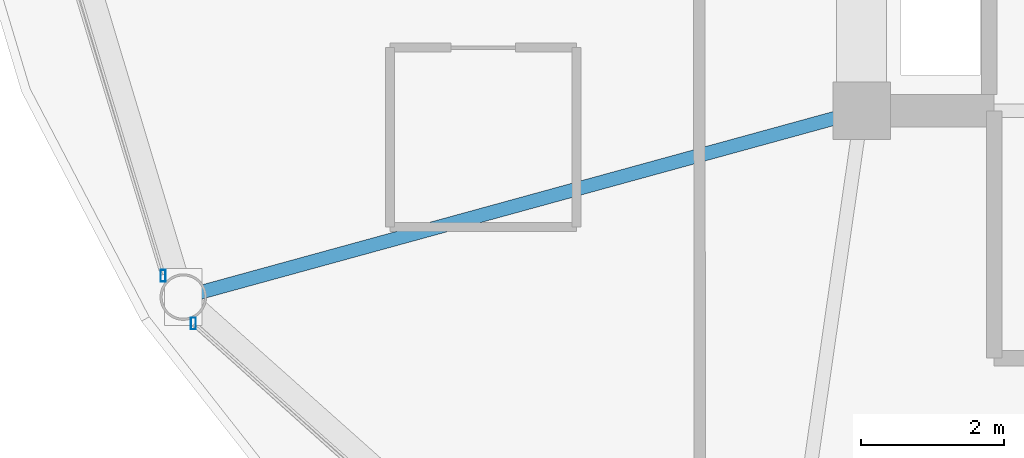
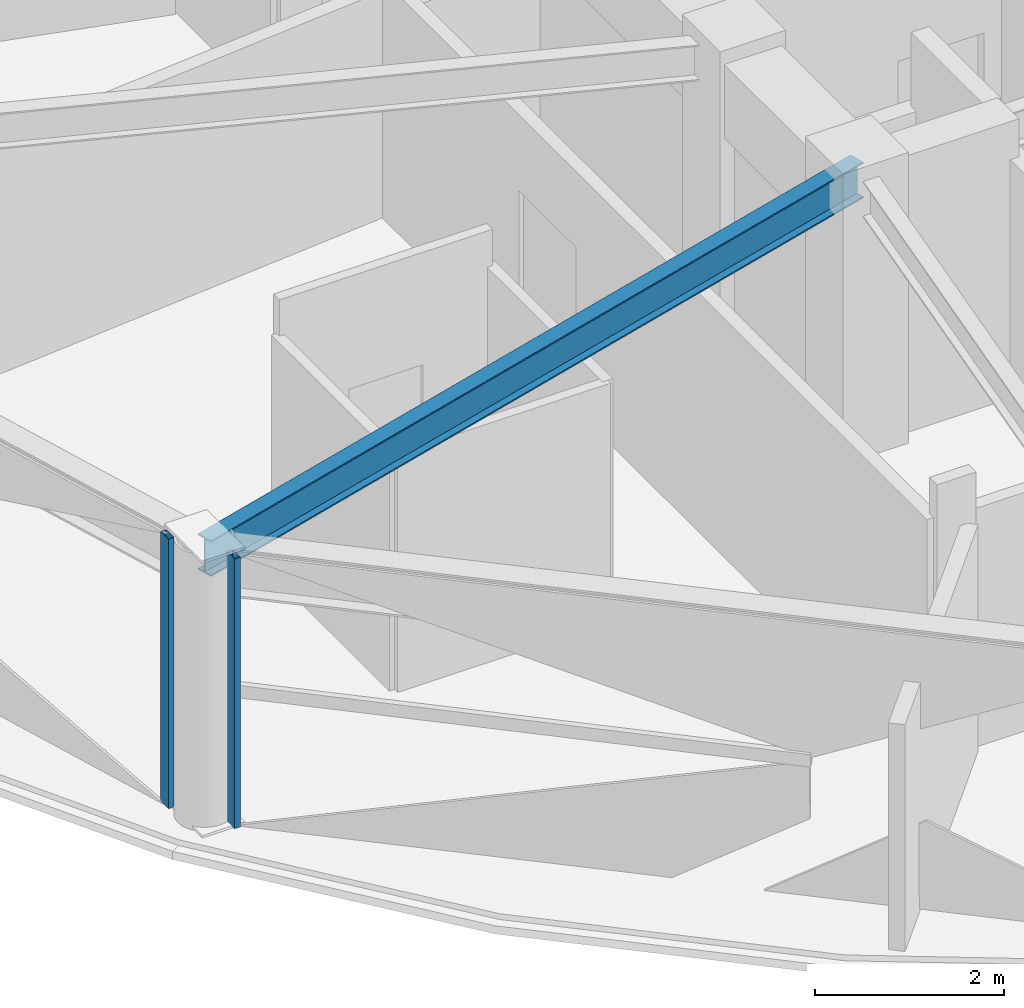
# One storey, part 3 of 28: 2 members, 1 beam, 2 elements without a shape of their own.
"""IFC4 building model written with IfcOpenShell, lengths in metres."""

from ifc_helpers import new_model, si_unit, direction, frame, origin, origin_2d, place, context, subcontext, project, spatial, hollow_rectangle, i_section, extrude, material, layer, layer_set, material_profile, profile_set, type_object, element, aggregate, save


model = new_model("IFC4")

# Units and contexts
model_context = context("Model", 3, precision=1e-05, world=origin(), true_north=direction((0.0, 1.0)))
body_context = subcontext(model_context, "Body", "Model", "MODEL_VIEW")
ifc_project = project(units=[si_unit("LENGTHUNIT", "METRE"), si_unit("AREAUNIT", "SQUARE_METRE"), si_unit("VOLUMEUNIT", "CUBIC_METRE"), si_unit("PLANEANGLEUNIT", "RADIAN"), si_unit("MASSUNIT", "GRAM", prefix="KILO")], contexts=[model_context])

# Site, building, storey
site_placement = place(None, origin())
site = spatial("IfcSite", under=ifc_project, at=site_placement, CompositionType="ELEMENT")
building_placement = place(site_placement, origin())
building = spatial("IfcBuilding", under=site, at=building_placement, Name="Vantalir Tower", CompositionType="ELEMENT")
storey_placement = place(building_placement, frame((0.0, 0.0, 223.64990234375)))
storey = spatial("IfcBuildingStorey", under=building, at=storey_placement, Name="L56", CompositionType="ELEMENT", Elevation=223.64990234375)

# Beam
ifc_material_1 = material(Name="Steel S355", Category="steel")
ifc_material_profile_1 = material_profile(ifc_material_1, i_section(OverallWidth=0.19189453125, OverallDepth=0.462890625, WebThickness=0.010498046875, FlangeThickness=0.017578125, at=origin_2d()), Name="Steel S355")
ifc_profile_set_1 = profile_set([ifc_material_profile_1], Name="Steel S355")
beam_type = type_object("IfcBeamType", Name="BM-RB-457x191", PredefinedType="BEAM", material=ifc_profile_set_1)
beam_placement = place(storey_placement, frame((12.43603515625, 15.201904296875, 3.338134765625), z_axis=(0.964320419913, 0.264737847196, 0.0), x_axis=(-0.264737847196, 0.964320419913, 0.0)))
element("IfcBeam", 1, at=beam_placement, inside=storey, type_object=beam_type, Name="L56 Radial Floor Beam 08", PredefinedType="BEAM", context=body_context, shape_type="SweptSolid", body=[
    extrude(i_section(OverallWidth=0.19189453125, OverallDepth=0.462890625, WebThickness=0.010498046875, FlangeThickness=0.017578125, at=origin_2d()), origin(), (0.0, 0.0, 1.0), 9.81396484375),
])

# Curtain wall, member
ifc_material_2 = material(Name="Champagne-silver PVDF aluminium and double-silver Low-E glass", Category="aluminium")
ifc_layer = layer(ifc_material_2, 0.2099609375)
ifc_layer_set = layer_set([ifc_layer], Name="Champagne-silver PVDF aluminium and double-silver Low-E glass")
curtain_wall_type = type_object("IfcCurtainWallType", Name="CW-DIAMOND-Z3", PredefinedType="USERDEFINED", material=ifc_layer_set)
curtain_wall_1_placement = place(storey_placement, origin())
curtain_wall_1 = element("IfcCurtainWall", 2, at=curtain_wall_1_placement, inside=storey, type_object=curtain_wall_type, Name="L56 Quilted Pyramid-Diamond Curtain Wall S07", ObjectType="UNITISED CURTAIN WALL", PredefinedType="USERDEFINED")
ifc_material_3 = material(Name="Champagne-silver PVDF aluminium 6063-T6", Category="aluminium")
ifc_material_profile_2 = material_profile(ifc_material_3, hollow_rectangle(XDim=0.070068359375, YDim=0.1650390625, WallThickness=0.00390625, at=origin_2d()), Name="Champagne-silver PVDF aluminium 6063-T6")
ifc_profile_set_2 = profile_set([ifc_material_profile_2], Name="Champagne-silver PVDF aluminium 6063-T6")
member_type = type_object("IfcMemberType", Name="CWM-165x70", PredefinedType="MULLION", material=ifc_profile_set_2)
member_1_placement = place(storey_placement, frame((12.154052734375, 15.5, 0.045166015625), z_axis=(0.0, 0.0, 1.0), x_axis=(1.0, 0.0, 0.0)))
member_1 = element("IfcMember", 3, at=member_1_placement, type_object=member_type, Name="CW-L56-S07 Mullion 2", PredefinedType="MULLION", context=body_context, shape_type="SweptSolid", body=[
    extrude(hollow_rectangle(XDim=0.070068359375, YDim=0.1650390625, WallThickness=0.00390625, at=origin_2d()), origin(), (0.0, 0.0, 1.0), 3.47998046875),
])
aggregate(curtain_wall_1, [member_1])

curtain_wall_2_placement = place(storey_placement, origin())
curtain_wall_2 = element("IfcCurtainWall", 4, at=curtain_wall_2_placement, inside=storey, type_object=curtain_wall_type, Name="L56 Quilted Pyramid-Diamond Curtain Wall S08", ObjectType="UNITISED CURTAIN WALL", PredefinedType="USERDEFINED")
member_2_placement = place(storey_placement, frame((12.577880859375, 14.833984375, 0.045166015625), z_axis=(0.0, 0.0, 1.0), x_axis=(1.0, 0.0, 0.0)))
member_2 = element("IfcMember", 5, at=member_2_placement, type_object=member_type, Name="CW-L56-S08 Mullion 1", PredefinedType="MULLION", context=body_context, shape_type="SweptSolid", body=[
    extrude(hollow_rectangle(XDim=0.070068359375, YDim=0.1650390625, WallThickness=0.00390625, at=origin_2d()), origin(), (0.0, 0.0, 1.0), 3.47998046875),
])
aggregate(curtain_wall_2, [member_2])

save(model, "model.ifc")
